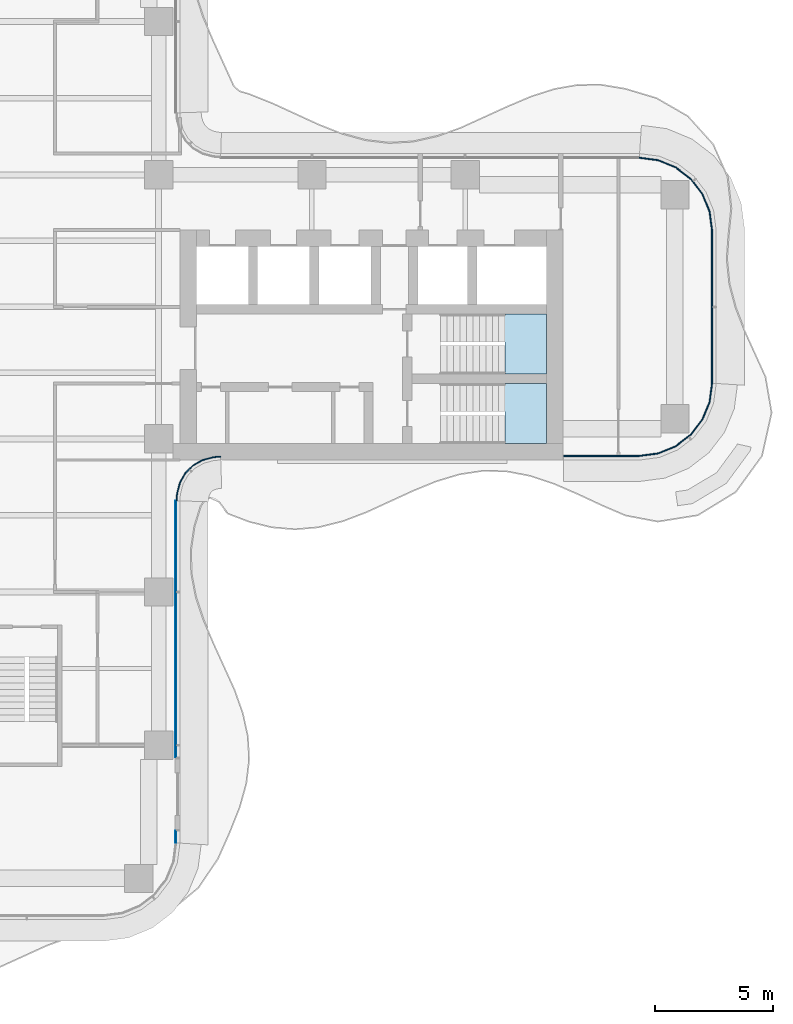
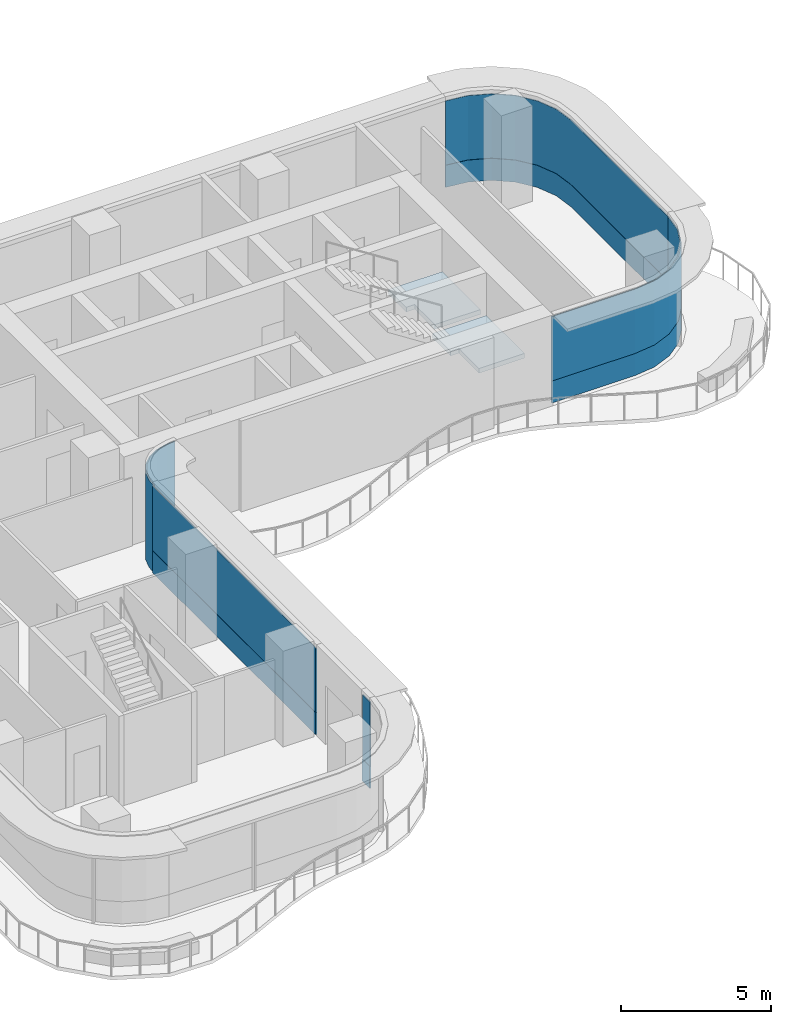
# One storey, part 12 of 19: 9 plates, 2 slabs, 7 elements without a shape of their own.
"""IFC4 building model written with IfcOpenShell, lengths in metres."""

from ifc_helpers import new_model, si_unit, direction, frame, origin, place, context, subcontext, project, spatial, polyline, outline, extrude, source, transform, mapped, material, layer, layer_set, type_object, element, aggregate, save


model = new_model("IFC4")

# Units and contexts
model_context = context("Model", 3, precision=1e-05, world=origin(), true_north=direction((0.0, 1.0)))
body_context = subcontext(model_context, "Body", "Model", "MODEL_VIEW")
ifc_project = project(units=[si_unit("LENGTHUNIT", "METRE"), si_unit("AREAUNIT", "SQUARE_METRE"), si_unit("VOLUMEUNIT", "CUBIC_METRE"), si_unit("PLANEANGLEUNIT", "RADIAN"), si_unit("MASSUNIT", "GRAM", prefix="KILO")], contexts=[model_context])

# Site, building, storey
site_placement = place(None, origin())
site = spatial("IfcSite", under=ifc_project, at=site_placement, CompositionType="ELEMENT")
building_placement = place(site_placement, origin())
building = spatial("IfcBuilding", under=site, at=building_placement, Name="Trellis Farm Tower", CompositionType="ELEMENT")
storey_placement = place(building_placement, frame((0.0, 0.0, 197.10009765625)))
storey = spatial("IfcBuildingStorey", under=building, at=storey_placement, Name="L43", CompositionType="ELEMENT", Elevation=197.10009765625)

# Stair, slab
ifc_material_1 = material(Name="Concrete C50/60", Category="concrete")
stair_type = type_object("IfcStairType", Name="CORE EXIT STAIR 22 RISERS 177 MM", PredefinedType="HALF_TURN_STAIR", material=ifc_material_1)
placement_1 = place(storey_placement, origin())
stair_1 = element("IfcStair", 1, at=placement_1, inside=storey, type_object=stair_type, Name="Exit stair E1", PredefinedType="HALF_TURN_STAIR")
ifc_layer_1 = layer(ifc_material_1, 0.18994140625)
ifc_layer_set_1 = layer_set([ifc_layer_1], Name="CORE STAIR LANDING 190 CONCRETE C50/60")
slab_type = type_object("IfcSlabType", Name="CORE STAIR LANDING 190 CONCRETE C50/60", PredefinedType="LANDING", material=ifc_layer_set_1)
shared_shape_1 = source(origin(), body_context, "Body", "SweptSolid", [
    extrude(outline(polyline([(20.2900390625, -5.800048828125), (20.2900390625, -4.60009765625), (20.300048828125, -4.60009765625), (20.300048828125, -4.449951171875), (19.971923828125, -4.449951171875), (19.971923828125, -3.25), (20.300048828125, -3.25), (22.050048828125, -3.25), (22.050048828125, -5.800048828125), (20.300048828125, -5.800048828125), (20.2900390625, -5.800048828125)])), origin(), (0.0, 0.0, 1.0), 0.18994140625),
])
placement_2 = place(storey_placement, frame((0.0, 0.0, 1.760009765625)))
slab_1 = element("IfcSlab", 2, at=placement_2, type_object=slab_type, Name="STE1 landing 1", PredefinedType="LANDING", context=body_context, shape_type="MappedRepresentation", body=[
    mapped(shared_shape_1, transform((0.0, 0.0, 0.0))),
])
aggregate(stair_1, [slab_1])

stair_2 = element("IfcStair", 3, at=placement_1, inside=storey, type_object=stair_type, Name="Exit stair E2", PredefinedType="HALF_TURN_STAIR")
shared_shape_2 = source(origin(), body_context, "Body", "SweptSolid", [
    extrude(outline(polyline([(20.2900390625, -2.85009765625), (20.2900390625, -1.64990234375), (20.300048828125, -1.64990234375), (20.300048828125, -1.5), (19.971923828125, -1.5), (19.971923828125, -0.300048828125), (20.300048828125, -0.300048828125), (22.050048828125, -0.300048828125), (22.050048828125, -2.85009765625), (20.300048828125, -2.85009765625), (20.2900390625, -2.85009765625)])), origin(), (0.0, 0.0, 1.0), 0.18994140625),
])
slab_2 = element("IfcSlab", 4, at=placement_2, type_object=slab_type, Name="STE2 landing 1", PredefinedType="LANDING", context=body_context, shape_type="MappedRepresentation", body=[
    mapped(shared_shape_2, transform((0.0, 0.0, 0.0))),
])
aggregate(stair_2, [slab_2])

# Curtain wall, plate
ifc_material_2 = material(Name="Aluminium and glass curtain wall", Category="aluminium")
ifc_layer_2 = layer(ifc_material_2, 0.18994140625)
ifc_layer_set_2 = layer_set([ifc_layer_2], Name="RIBBON CURTAIN WALL CW1")
curtain_wall_type_1 = type_object("IfcCurtainWallType", Name="RIBBON CURTAIN WALL CW1", PredefinedType="NOTDEFINED", material=ifc_layer_set_2)
curtain_wall_1 = element("IfcCurtainWall", 5, at=placement_1, inside=storey, type_object=curtain_wall_type_1, Name="CW1 006", PredefinedType="NOTDEFINED")
ifc_material_3 = material(Name="Sandstone faced insulated panel", Category="masonry")
ifc_layer_3 = layer(ifc_material_3, 0.050048828125)
ifc_layer_set_3 = layer_set([ifc_layer_3], Name="CW1 STONE SPANDREL PANEL 50")
plate_type_1 = type_object("IfcPlateType", Name="CW1 STONE SPANDREL PANEL 50", PredefinedType="CURTAIN_PANEL", material=ifc_layer_set_3)
shared_shape_3 = source(origin(), body_context, "Body", "SweptSolid", [
    extrude(outline(polyline([(22.780029296875, -6.35009765625), (25.990234375, -6.35009765625), (26.802001953125, -6.2431640625), (27.54931640625, -5.93359375), (28.191162109375, -5.441162109375), (28.68359375, -4.79931640625), (28.9931640625, -4.052001953125), (29.10009765625, -3.240234375), (29.050048828125, -3.23681640625), (28.9443359375, -4.0390625), (28.639892578125, -4.774169921875), (28.155517578125, -5.405517578125), (27.524169921875, -5.889892578125), (26.7890625, -6.1943359375), (25.98681640625, -6.300048828125), (22.780029296875, -6.300048828125), (22.780029296875, -6.35009765625)])), origin(), (0.0, 0.0, 1.0), 0.89990234375),
])
plate_1 = element("IfcPlate", 6, at=placement_1, type_object=plate_type_1, Name="PS1 006", PredefinedType="CURTAIN_PANEL", context=body_context, shape_type="MappedRepresentation", body=[
    mapped(shared_shape_3, transform((0.0, 0.0, 0.0))),
])

curtain_wall_2 = element("IfcCurtainWall", 7, at=placement_1, inside=storey, type_object=curtain_wall_type_1, Name="CW1 007", PredefinedType="NOTDEFINED")
shared_shape_4 = source(origin(), body_context, "Body", "SweptSolid", [
    extrude(outline(polyline([(29.10009765625, -3.240234375), (29.10009765625, 3.240234375), (28.9931640625, 4.052001953125), (28.68359375, 4.79931640625), (28.191162109375, 5.441162109375), (27.54931640625, 5.93359375), (26.802001953125, 6.2431640625), (25.990234375, 6.35009765625), (25.98681640625, 6.300048828125), (26.7890625, 6.1943359375), (27.524169921875, 5.889892578125), (28.155517578125, 5.405517578125), (28.639892578125, 4.774169921875), (28.9443359375, 4.0390625), (29.050048828125, 3.23681640625), (29.050048828125, -3.23681640625), (29.10009765625, -3.240234375)])), origin(), (0.0, 0.0, 1.0), 0.89990234375),
])
plate_2 = element("IfcPlate", 8, at=placement_1, type_object=plate_type_1, Name="PS1 007", PredefinedType="CURTAIN_PANEL", context=body_context, shape_type="MappedRepresentation", body=[
    mapped(shared_shape_4, transform((0.0, 0.0, 0.0))),
])

curtain_wall_3 = element("IfcCurtainWall", 9, at=placement_1, inside=storey, type_object=curtain_wall_type_1, Name="CW1 004", PredefinedType="NOTDEFINED")
shared_shape_5 = source(origin(), body_context, "Body", "SweptSolid", [
    extrude(outline(polyline([(6.35009765625, -22.740234375), (6.35009765625, -22.235107421875), (6.300048828125, -22.235107421875), (6.300048828125, -22.73681640625), (6.35009765625, -22.740234375)])), origin(), (0.0, 0.0, 1.0), 0.89990234375),
])
plate_3 = element("IfcPlate", 10, at=placement_1, type_object=plate_type_1, Name="PS1 004", PredefinedType="CURTAIN_PANEL", context=body_context, shape_type="MappedRepresentation", body=[
    mapped(shared_shape_5, transform((0.0, 0.0, 0.0))),
])

curtain_wall_4 = element("IfcCurtainWall", 11, at=placement_1, inside=storey, type_object=curtain_wall_type_1, Name="CW1 005", PredefinedType="NOTDEFINED")
shared_shape_6 = source(origin(), body_context, "Body", "SweptSolid", [
    extrude(outline(polyline([(6.35009765625, -19.114990234375), (6.35009765625, -8.2265625), (6.300048828125, -8.224853515625), (6.300048828125, -19.114990234375), (6.35009765625, -19.114990234375)])), origin(), (0.0, 0.0, 1.0), 0.89990234375),
])
plate_4 = element("IfcPlate", 12, at=placement_1, type_object=plate_type_1, Name="PS1 005", PredefinedType="CURTAIN_PANEL", context=body_context, shape_type="MappedRepresentation", body=[
    mapped(shared_shape_6, transform((0.0, 0.0, 0.0))),
])

# Plate
ifc_material_4 = material(Name="Clear insulated glass", Category="glass")
ifc_layer_4 = layer(ifc_material_4, 0.0400390625)
ifc_layer_set_4 = layer_set([ifc_layer_4], Name="CW1 GLASS PANEL 40")
plate_type_2 = type_object("IfcPlateType", Name="CW1 GLASS PANEL 40", PredefinedType="CURTAIN_PANEL", material=ifc_layer_set_4)
shared_shape_7 = source(origin(), body_context, "Body", "SweptSolid", [
    extrude(outline(polyline([(22.780029296875, -6.35009765625), (25.990234375, -6.35009765625), (26.802001953125, -6.2431640625), (27.54931640625, -5.93359375), (28.191162109375, -5.441162109375), (28.68359375, -4.79931640625), (28.9931640625, -4.052001953125), (29.10009765625, -3.240234375), (29.06005859375, -3.237548828125), (28.9541015625, -4.04150390625), (28.648681640625, -4.779296875), (28.16259765625, -5.41259765625), (27.529296875, -5.898681640625), (26.79150390625, -6.2041015625), (25.987548828125, -6.31005859375), (22.780029296875, -6.31005859375), (22.780029296875, -6.35009765625)])), origin(), (0.0, 0.0, 1.0), 2.6201171875),
])
placement_3 = place(storey_placement, frame((0.0, 0.0, 0.89990234375)))
plate_5 = element("IfcPlate", 13, at=placement_3, type_object=plate_type_2, Name="PL1 006", PredefinedType="CURTAIN_PANEL", context=body_context, shape_type="MappedRepresentation", body=[
    mapped(shared_shape_7, transform((0.0, 0.0, 0.0))),
])

aggregate(curtain_wall_1, [plate_5, plate_1])

shared_shape_8 = source(origin(), body_context, "Body", "SweptSolid", [
    extrude(outline(polyline([(29.10009765625, -3.240234375), (29.10009765625, 3.240234375), (28.9931640625, 4.052001953125), (28.68359375, 4.79931640625), (28.191162109375, 5.441162109375), (27.54931640625, 5.93359375), (26.802001953125, 6.2431640625), (25.990234375, 6.35009765625), (25.987548828125, 6.31005859375), (26.79150390625, 6.2041015625), (27.529296875, 5.898681640625), (28.16259765625, 5.41259765625), (28.648681640625, 4.779296875), (28.9541015625, 4.04150390625), (29.06005859375, 3.237548828125), (29.06005859375, -3.237548828125), (29.10009765625, -3.240234375)])), origin(), (0.0, 0.0, 1.0), 2.6201171875),
])
plate_6 = element("IfcPlate", 14, at=placement_3, type_object=plate_type_2, Name="PL1 007", PredefinedType="CURTAIN_PANEL", context=body_context, shape_type="MappedRepresentation", body=[
    mapped(shared_shape_8, transform((0.0, 0.0, 0.0))),
])

aggregate(curtain_wall_2, [plate_6, plate_2])

shared_shape_9 = source(origin(), body_context, "Body", "SweptSolid", [
    extrude(outline(polyline([(6.35009765625, -22.740234375), (6.35009765625, -22.235107421875), (6.31005859375, -22.235107421875), (6.31005859375, -22.737548828125), (6.35009765625, -22.740234375)])), origin(), (0.0, 0.0, 1.0), 2.6201171875),
])
plate_7 = element("IfcPlate", 15, at=placement_3, type_object=plate_type_2, Name="PL1 004", PredefinedType="CURTAIN_PANEL", context=body_context, shape_type="MappedRepresentation", body=[
    mapped(shared_shape_9, transform((0.0, 0.0, 0.0))),
])

aggregate(curtain_wall_3, [plate_7, plate_3])

shared_shape_10 = source(origin(), body_context, "Body", "SweptSolid", [
    extrude(outline(polyline([(6.35009765625, -19.114990234375), (6.35009765625, -8.2265625), (6.31005859375, -8.22509765625), (6.31005859375, -19.114990234375), (6.35009765625, -19.114990234375)])), origin(), (0.0, 0.0, 1.0), 2.6201171875),
])
plate_8 = element("IfcPlate", 16, at=placement_3, type_object=plate_type_2, Name="PL1 005", PredefinedType="CURTAIN_PANEL", context=body_context, shape_type="MappedRepresentation", body=[
    mapped(shared_shape_10, transform((0.0, 0.0, 0.0))),
])

aggregate(curtain_wall_4, [plate_8, plate_4])

# Curtain wall, plate
ifc_layer_5 = layer(ifc_material_2, 0.166015625)
ifc_layer_set_5 = layer_set([ifc_layer_5], Name="WINTER GARDEN CURTAIN WALL CW3")
curtain_wall_type_2 = type_object("IfcCurtainWallType", Name="WINTER GARDEN CURTAIN WALL CW3", PredefinedType="NOTDEFINED", material=ifc_layer_set_5)
curtain_wall_5 = element("IfcCurtainWall", 17, at=placement_1, inside=storey, type_object=curtain_wall_type_2, Name="CW3 002", PredefinedType="NOTDEFINED")
ifc_layer_6 = layer(ifc_material_4, 0.0458984375)
ifc_layer_set_6 = layer_set([ifc_layer_6], Name="CW3 GLASS PANEL 46")
plate_type_3 = type_object("IfcPlateType", Name="CW3 GLASS PANEL 46", PredefinedType="CURTAIN_PANEL", material=ifc_layer_set_6)
shared_shape_11 = source(origin(), body_context, "Body", "SweptSolid", [
    extrude(outline(polyline([(6.3798828125, -8.2275390625), (6.394287109375, -8.0078125), (6.40966796875, -7.89208984375), (6.52490234375, -7.462158203125), (6.7509765625, -7.070556640625), (7.070556640625, -6.7509765625), (7.462158203125, -6.52490234375), (7.89208984375, -6.40966796875), (8.0078125, -6.394287109375), (8.2275390625, -6.3798828125), (8.22607421875, -6.333984375), (8.003173828125, -6.3486328125), (7.883056640625, -6.364501953125), (7.4443359375, -6.48193359375), (7.04248046875, -6.714111328125), (6.714111328125, -7.04248046875), (6.48193359375, -7.4443359375), (6.364501953125, -7.883056640625), (6.3486328125, -8.003173828125), (6.333984375, -8.22607421875), (6.3798828125, -8.2275390625)])), origin(), (0.0, 0.0, 1.0), 3.5498046875),
])
plate_9 = element("IfcPlate", 18, at=placement_1, type_object=plate_type_3, Name="PL3 002", PredefinedType="CURTAIN_PANEL", context=body_context, shape_type="MappedRepresentation", body=[
    mapped(shared_shape_11, transform((0.0, 0.0, 0.0))),
])
aggregate(curtain_wall_5, [plate_9])

save(model, "model.ifc")
